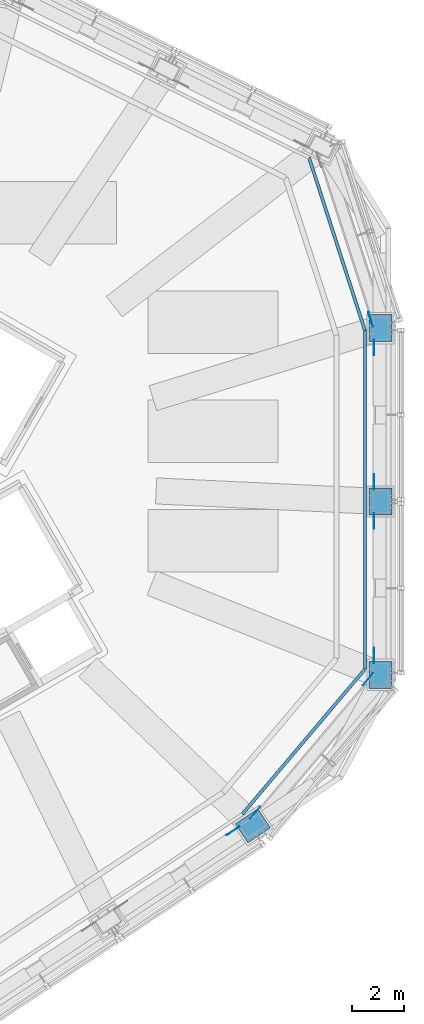
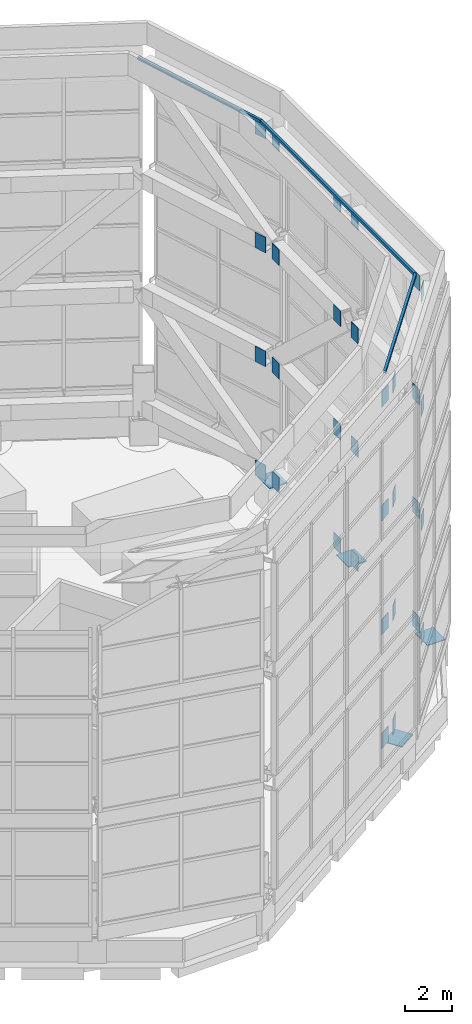
# One storey, part 25 of 46: 39 discrete accessories.
"""IFC4 building model written with IfcOpenShell, lengths in metres."""

from ifc_helpers import new_model, si_unit, direction, frame, origin, origin_2d, place, context, subcontext, project, spatial, rectangle, extrude, material, layer, layer_set, type_object, element, save


model = new_model("IFC4")

# Units and contexts
model_context = context("Model", 3, precision=1e-05, world=origin(), true_north=direction((0.0, 1.0)))
body_context = subcontext(model_context, "Body", "Model", "MODEL_VIEW")
ifc_project = project(units=[si_unit("LENGTHUNIT", "METRE"), si_unit("AREAUNIT", "SQUARE_METRE"), si_unit("VOLUMEUNIT", "CUBIC_METRE"), si_unit("PLANEANGLEUNIT", "RADIAN"), si_unit("MASSUNIT", "GRAM", prefix="KILO")], contexts=[model_context])

# Site, building, storey
site_placement = place(None, origin())
site = spatial("IfcSite", under=ifc_project, at=site_placement, CompositionType="ELEMENT")
building_placement = place(site_placement, origin())
building = spatial("IfcBuilding", under=site, at=building_placement, Name="Vanh Sen Convention Tower", CompositionType="ELEMENT")
storey_placement = place(building_placement, frame((0.0, 0.0, 305.0)))
storey = spatial("IfcBuildingStorey", under=building, at=storey_placement, Name="Roof level", CompositionType="ELEMENT", Elevation=305.0)

# Discrete accessories
ifc_material_1 = material(Name="Steel S355", Category="steel")
discrete_accessory_type_1 = type_object("IfcDiscreteAccessoryType", Name="BMU track rail 120 x 150", PredefinedType="USERDEFINED", material=ifc_material_1)
discrete_accessory_1_placement = place(storey_placement, frame((17.124755859375, 9.010009765625, 20.0), z_axis=(0.0, 0.0, 1.0), x_axis=(-0.307731944974, 0.951473094755, 0.0)))
element("IfcDiscreteAccessory", 1, at=discrete_accessory_1_placement, inside=storey, type_object=discrete_accessory_type_1, Name="BMU track rail 01", ObjectType="BMU TRACK", PredefinedType="USERDEFINED", context=body_context, shape_type="SweptSolid", body=[
    extrude(rectangle(XDim=6.988525390625, YDim=0.1201171875, at=origin_2d()), origin(), (0.0, 0.0, 1.0), 0.14990234375),
])
discrete_accessory_2_placement = place(storey_placement, frame((15.84423828125, -10.1123046875, 20.0), z_axis=(0.0, 0.0, 1.0), x_axis=(0.645768240948, 0.763533482555, 0.0)))
element("IfcDiscreteAccessory", 2, at=discrete_accessory_2_placement, inside=storey, type_object=discrete_accessory_type_1, Name="BMU track rail 16", ObjectType="BMU TRACK", PredefinedType="USERDEFINED", context=body_context, shape_type="SweptSolid", body=[
    extrude(rectangle(XDim=7.2958984375, YDim=0.1201171875, at=origin_2d()), origin(), (0.0, 0.0, 1.0), 0.14990234375),
])
discrete_accessory_3_placement = place(storey_placement, frame((18.199951171875, -0.82080078125, 20.0), z_axis=(0.0, 0.0, 1.0), x_axis=(0.0, 1.0, 0.0)))
element("IfcDiscreteAccessory", 3, at=discrete_accessory_3_placement, inside=storey, type_object=discrete_accessory_type_1, Name="BMU track rail 17", ObjectType="BMU TRACK", PredefinedType="USERDEFINED", context=body_context, shape_type="SweptSolid", body=[
    extrude(rectangle(XDim=13.01220703125, YDim=0.1201171875, at=origin_2d()), origin(), (0.0, 0.0, 1.0), 0.14990234375),
])
ifc_material_2 = material(Name="Steel S355", Category="steel")
ifc_layer_1 = layer(ifc_material_2, 0.044921875)
ifc_layer_set_1 = layer_set([ifc_layer_1], Name="Steel S355")
discrete_accessory_type_2 = type_object("IfcDiscreteAccessoryType", Name="Crown column base plate 1040 x 880 x 45", PredefinedType="USERDEFINED", material=ifc_layer_set_1)
for number, where, z_axis, x_axis, name in (
    (4, (18.800048828125, -7.546630859375, 1.300048828125), (0.0, 0.0, 1.0), (0.0, 1.0, 0.0), "BASE PLATE crown column 01"),
    (5, (18.800048828125, -0.88330078125, 1.300048828125), (0.0, 0.0, 1.0), (0.0, 1.0, 0.0), "BASE PLATE crown column 02"),
    (6, (18.800048828125, 5.77978515625, 1.300048828125), (0.0, 0.0, 1.0), (0.0, 1.0, 0.0), "BASE PLATE crown column 03"),
    (7, (13.891357421875, -13.3505859375, 1.300048828125), (0.0, 0.0, 1.0), (0.833885822067, 0.551936985312, 0.0), "BASE PLATE crown column 18"),
):
    element("IfcDiscreteAccessory", number, at=place(storey_placement, frame(where, z_axis=z_axis, x_axis=x_axis)), inside=storey, type_object=discrete_accessory_type_2, Name=name, ObjectType="BASE PLATE", PredefinedType="USERDEFINED", context=body_context, shape_type="SweptSolid", body=[
        extrude(rectangle(XDim=1.0400390625, YDim=0.8798828125, at=origin_2d()), origin(), (0.0, 0.0, 1.0), 0.044921875),
    ])
ifc_layer_2 = layer(ifc_material_2, 0.02001953125)
ifc_layer_set_2 = layer_set([ifc_layer_2], Name="Steel S355")
discrete_accessory_type_3 = type_object("IfcDiscreteAccessoryType", Name="Crown gusset plate 600 x 800 x 20", PredefinedType="USERDEFINED", material=ifc_layer_set_2)
for number, where, z_axis, x_axis, name in (
    (8, (18.5400390625, -6.8017578125, 1.34521484375), (0.0, 0.0, 1.0), (0.0, 1.0, 0.0), "GUSSET PLATE ring beam 1 span 01 start"),
    (9, (18.5400390625, -1.62841796875, 1.34521484375), (0.0, 0.0, 1.0), (0.0, -1.0, 0.0), "GUSSET PLATE ring beam 1 span 01 end"),
    (10, (18.5400390625, -0.138427734375, 1.34521484375), (0.0, 0.0, 1.0), (0.0, 1.0, 0.0), "GUSSET PLATE ring beam 1 span 02 start"),
    (11, (18.5400390625, 5.034912109375, 1.34521484375), (0.0, 0.0, 1.0), (0.0, -1.0, 0.0), "GUSSET PLATE ring beam 1 span 02 end"),
    (12, (18.418701171875, 6.11376953125, 1.34521484375), (0.0, 0.0, 1.0), (-0.307733605607, 0.95147255766, 0.0), "GUSSET PLATE ring beam 1 span 03 start"),
    (13, (13.126708984375, -13.544921875, 1.34521484375), (0.0, 0.0, 1.0), (-0.833885822067, -0.551936985312, 0.0), "GUSSET PLATE ring beam 1 span 17 end"),
    (14, (13.977294921875, -12.84619140625, 1.34521484375), (0.0, 0.0, 1.0), (0.64576690833, 0.763534609632, 0.0), "GUSSET PLATE ring beam 1 span 18 start"),
    (15, (18.317138671875, -7.715087890625, 1.34521484375), (0.0, 0.0, 1.0), (-0.64576690833, -0.763534609632, 0.0), "GUSSET PLATE ring beam 1 span 18 end"),
    (16, (18.5400390625, -6.8017578125, 7.21337890625), (0.0, 0.0, 1.0), (0.0, 1.0, 0.0), "GUSSET PLATE ring beam 2 span 01 start"),
    (17, (18.5400390625, -1.62841796875, 7.21337890625), (0.0, 0.0, 1.0), (0.0, -1.0, 0.0), "GUSSET PLATE ring beam 2 span 01 end"),
    (18, (18.5400390625, -0.138427734375, 7.21337890625), (0.0, 0.0, 1.0), (0.0, 1.0, 0.0), "GUSSET PLATE ring beam 2 span 02 start"),
    (19, (18.5400390625, 5.034912109375, 7.21337890625), (0.0, 0.0, 1.0), (0.0, -1.0, 0.0), "GUSSET PLATE ring beam 2 span 02 end"),
    (20, (18.418701171875, 6.11376953125, 7.21337890625), (0.0, 0.0, 1.0), (-0.307733605607, 0.95147255766, 0.0), "GUSSET PLATE ring beam 2 span 03 start"),
    (21, (13.126708984375, -13.544921875, 7.21337890625), (0.0, 0.0, 1.0), (-0.833885822067, -0.551936985312, 0.0), "GUSSET PLATE ring beam 2 span 17 end"),
    (22, (13.977294921875, -12.84619140625, 7.21337890625), (0.0, 0.0, 1.0), (0.64576690833, 0.763534609632, 0.0), "GUSSET PLATE ring beam 2 span 18 start"),
    (23, (18.317138671875, -7.715087890625, 7.21337890625), (0.0, 0.0, 1.0), (-0.64576690833, -0.763534609632, 0.0), "GUSSET PLATE ring beam 2 span 18 end"),
    (24, (18.5400390625, -6.8017578125, 13.08154296875), (0.0, 0.0, 1.0), (0.0, 1.0, 0.0), "GUSSET PLATE ring beam 3 span 01 start"),
    (25, (18.5400390625, -1.62841796875, 13.08154296875), (0.0, 0.0, 1.0), (0.0, -1.0, 0.0), "GUSSET PLATE ring beam 3 span 01 end"),
    (26, (18.5400390625, -0.138427734375, 13.08154296875), (0.0, 0.0, 1.0), (0.0, 1.0, 0.0), "GUSSET PLATE ring beam 3 span 02 start"),
    (27, (18.5400390625, 5.034912109375, 13.08154296875), (0.0, 0.0, 1.0), (0.0, -1.0, 0.0), "GUSSET PLATE ring beam 3 span 02 end"),
    (28, (18.418701171875, 6.11376953125, 13.08154296875), (0.0, 0.0, 1.0), (-0.307733605607, 0.95147255766, 0.0), "GUSSET PLATE ring beam 3 span 03 start"),
    (29, (13.126708984375, -13.544921875, 13.08154296875), (0.0, 0.0, 1.0), (-0.833885822067, -0.551936985312, 0.0), "GUSSET PLATE ring beam 3 span 17 end"),
    (30, (13.977294921875, -12.84619140625, 13.08154296875), (0.0, 0.0, 1.0), (0.64576690833, 0.763534609632, 0.0), "GUSSET PLATE ring beam 3 span 18 start"),
    (31, (18.317138671875, -7.715087890625, 13.08154296875), (0.0, 0.0, 1.0), (-0.64576690833, -0.763534609632, 0.0), "GUSSET PLATE ring beam 3 span 18 end"),
    (32, (18.5400390625, -6.8017578125, 18.9501953125), (0.0, 0.0, 1.0), (0.0, 1.0, 0.0), "GUSSET PLATE ring beam 4 span 01 start"),
    (33, (18.5400390625, -1.62841796875, 18.9501953125), (0.0, 0.0, 1.0), (0.0, -1.0, 0.0), "GUSSET PLATE ring beam 4 span 01 end"),
    (34, (18.5400390625, -0.138427734375, 18.9501953125), (0.0, 0.0, 1.0), (0.0, 1.0, 0.0), "GUSSET PLATE ring beam 4 span 02 start"),
    (35, (18.5400390625, 5.034912109375, 18.9501953125), (0.0, 0.0, 1.0), (0.0, -1.0, 0.0), "GUSSET PLATE ring beam 4 span 02 end"),
    (36, (18.418701171875, 6.11376953125, 18.9501953125), (0.0, 0.0, 1.0), (-0.307733605607, 0.95147255766, 0.0), "GUSSET PLATE ring beam 4 span 03 start"),
    (37, (13.126708984375, -13.544921875, 18.9501953125), (0.0, 0.0, 1.0), (-0.833885822067, -0.551936985312, 0.0), "GUSSET PLATE ring beam 4 span 17 end"),
    (38, (13.977294921875, -12.84619140625, 18.9501953125), (0.0, 0.0, 1.0), (0.64576690833, 0.763534609632, 0.0), "GUSSET PLATE ring beam 4 span 18 start"),
    (39, (18.317138671875, -7.715087890625, 18.9501953125), (0.0, 0.0, 1.0), (-0.64576690833, -0.763534609632, 0.0), "GUSSET PLATE ring beam 4 span 18 end"),
):
    element("IfcDiscreteAccessory", number, at=place(storey_placement, frame(where, z_axis=z_axis, x_axis=x_axis)), inside=storey, type_object=discrete_accessory_type_3, Name=name, ObjectType="GUSSET PLATE", PredefinedType="USERDEFINED", context=body_context, shape_type="SweptSolid", body=[
        extrude(rectangle(XDim=0.60009765625, YDim=0.02001953125, at=origin_2d()), origin(), (0.0, 0.0, 1.0), 0.800048828125),
    ])

save(model, "model.ifc")
